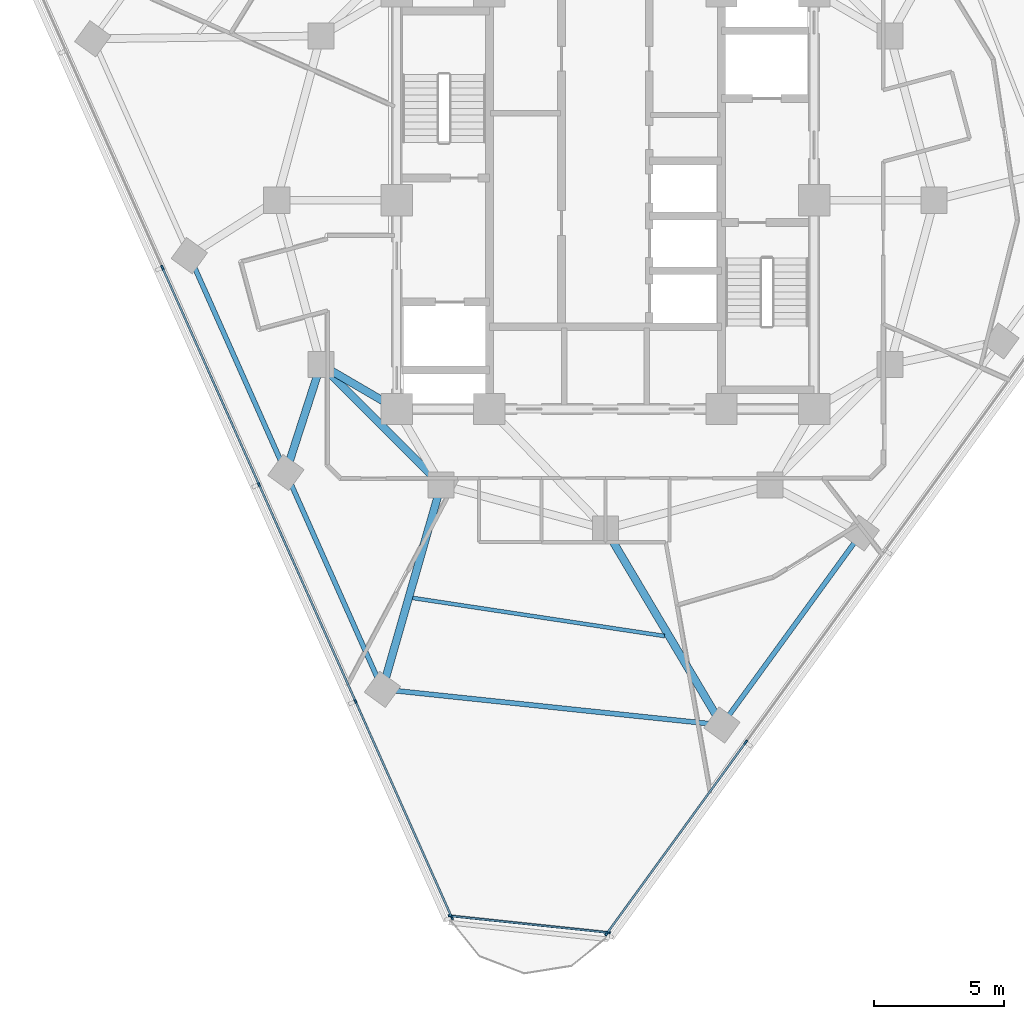
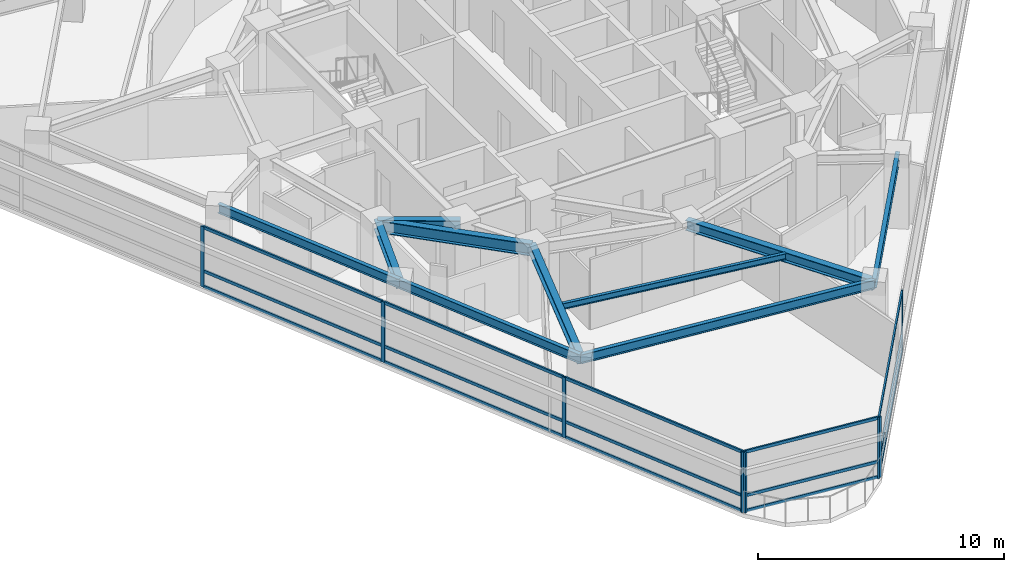
# One storey, part 2 of 15: 23 members, 10 beams, 3 elements without a shape of their own.
"""IFC4 building model written with IfcOpenShell, lengths in metres."""

import ifcopenshell
import ifcopenshell.guid

model = None  # the IFC model being written
_history = None  # IfcOwnerHistory: only IFC2X3 demands one
_inside = {}  # id of a spatial element -> (the spatial element, [elements in it])
_under = {}  # id of a project, library or spatial element -> (it, [spatial elements below it])
_declared = {}  # id of a project -> (the project, [libraries it declares])
_typed = {}  # id of a type object -> (the type object, [elements of that type])
_made_of = {}  # id of a material, layer set ... -> (it, [elements and type objects made of it])


def new_model(schema):
    """Start an empty IFC model of exactly this schema.

    Asked for "IFC4X3", IfcOpenShell would pick the latest addendum, in which some entities
    have other attributes; the version numbers below select the first issue.
    IFC2X3 requires an IfcOwnerHistory on every rooted entity: one is made here for all.
    """
    global model, _history
    if schema == "IFC4X3":
        model = ifcopenshell.file(schema_version=(4, 3, 0, 0))
    else:
        model = ifcopenshell.file(schema=schema)
    _inside.clear()
    _under.clear()
    _declared.clear()
    _typed.clear()
    _made_of.clear()
    _history = None
    if model.schema == "IFC2X3":
        org = make("IfcOrganization", Name="unknown")
        user = make(
            "IfcPersonAndOrganization",
            ThePerson=make("IfcPerson", FamilyName="unknown"),
            TheOrganization=org,
        )
        app = make(
            "IfcApplication",
            ApplicationDeveloper=org,
            Version="unknown",
            ApplicationFullName="unknown",
            ApplicationIdentifier="unknown",
        )
        _history = make(
            "IfcOwnerHistory",
            OwningUser=user,
            OwningApplication=app,
            ChangeAction="ADDED",
            CreationDate=0,
        )
    return model


def make(cls, **values):
    """One entity of the class cls with the attributes given. An attribute that is None is left unset."""
    return model.create_entity(
        cls, **{name: value for name, value in values.items() if value is not None}
    )


def rooted(cls, **values):
    """An entity with a GlobalId (a new one), such as an element, a storey or a relation."""
    return make(cls, GlobalId=ifcopenshell.guid.new(), OwnerHistory=_history, **values)


def si_unit(unit_type, name, prefix=None):
    """IfcSIUnit, for example si_unit("LENGTHUNIT", "METRE", prefix="MILLI")."""
    return make("IfcSIUnit", UnitType=unit_type, Prefix=prefix, Name=name)


def assignment(units):
    """IfcUnitAssignment: the units of a project."""
    return None if units is None else make("IfcUnitAssignment", Units=units)


def point(xyz):
    """IfcCartesianPoint."""
    return None if xyz is None else make("IfcCartesianPoint", Coordinates=xyz)


def direction(xyz):
    """IfcDirection."""
    return None if xyz is None else make("IfcDirection", DirectionRatios=xyz)


def frame(location, z_axis=None, x_axis=None):
    """IfcAxis2Placement3D, a coordinate frame: its origin and axes. An axis left out is left unset."""
    return make(
        "IfcAxis2Placement3D",
        Location=point(location),
        Axis=direction(z_axis),
        RefDirection=direction(x_axis),
    )


def frame_2d(location, x_axis=None):
    """IfcAxis2Placement2D, a coordinate frame in the plane: its origin and x axis."""
    return make(
        "IfcAxis2Placement2D", Location=point(location), RefDirection=direction(x_axis)
    )


def origin():
    """The frame at (0, 0, 0) with its axes left unset."""
    return frame((0.0, 0.0, 0.0))


def origin_2d():
    """The frame at (0, 0) in the plane with its x axis left unset."""
    return frame_2d((0.0, 0.0))


def place(relative_to, where):
    """IfcLocalPlacement: puts the frame where relative to a parent placement (None: the world)."""
    return make(
        "IfcLocalPlacement", PlacementRelTo=relative_to, RelativePlacement=where
    )


def context(
    kind, dimensions, precision=None, world=None, true_north=None, identifier=None
):
    """IfcGeometricRepresentationContext, for example the 3D "Model" context."""
    return make(
        "IfcGeometricRepresentationContext",
        ContextIdentifier=identifier,
        ContextType=kind,
        CoordinateSpaceDimension=dimensions,
        Precision=precision,
        WorldCoordinateSystem=world,
        TrueNorth=true_north,
    )


def subcontext(parent, identifier, kind, view, scale=None):
    """IfcGeometricRepresentationSubContext, for example "Body" below "Model"."""
    return make(
        "IfcGeometricRepresentationSubContext",
        ContextIdentifier=identifier,
        ContextType=kind,
        ParentContext=parent,
        TargetScale=scale,
        TargetView=view,
    )


def project(units=None, contexts=None):
    """IfcProject with its units and contexts."""
    return rooted(
        "IfcProject",
        Name="project",
        RepresentationContexts=contexts,
        UnitsInContext=assignment(units),
    )


def spatial(cls, under=None, at=None, **own):
    """A site, building, storey or space (cls), placed at a placement, below another one or the project."""
    s = rooted(cls, ObjectPlacement=at, **own)
    if under is not None:
        _under.setdefault(under.id(), (under, []))[1].append(s)
    return s


def profile(cls, at=None, kind="AREA", **sizes):
    """A parametric profile (cls). Its sizes go by their IFC names, for example OverallWidth=200.0."""
    return make(cls, ProfileType=kind, Position=at, **sizes)


def rectangle(**sizes):
    """IfcRectangleProfileDef."""
    return profile("IfcRectangleProfileDef", **sizes)


def i_section(**sizes):
    """IfcIShapeProfileDef."""
    return profile("IfcIShapeProfileDef", **sizes)


def extrude(swept, where, along, depth):
    """IfcExtrudedAreaSolid: the profile swept, set in the frame where, extruded along a direction by depth."""
    return make(
        "IfcExtrudedAreaSolid",
        SweptArea=swept,
        Position=where,
        ExtrudedDirection=direction(along),
        Depth=depth,
    )


def shape(context_of_items, identifier, shape_type, items):
    """IfcShapeRepresentation: the items that make up one representation, for example the "Body"."""
    return make(
        "IfcShapeRepresentation",
        ContextOfItems=context_of_items,
        RepresentationIdentifier=identifier,
        RepresentationType=shape_type,
        Items=items,
    )


def material(Name=None, Category=None):
    """IfcMaterial."""
    return make("IfcMaterial", Name=Name, Category=Category)


def layer(
    of_material, thickness, ventilated=None, Name=None, Category=None, Priority=None
):
    """IfcMaterialLayer: one layer of a wall or slab, of a material (None: an air gap)."""
    return make(
        "IfcMaterialLayer",
        Material=of_material,
        LayerThickness=thickness,
        IsVentilated=ventilated,
        Name=Name,
        Category=Category,
        Priority=Priority,
    )


def layer_set(layers, Name=None):
    """IfcMaterialLayerSet."""
    return make("IfcMaterialLayerSet", MaterialLayers=layers, LayerSetName=Name)


def material_profile(
    of_material, cross_section, Name=None, Category=None, Priority=None
):
    """IfcMaterialProfile: a cross section and its material."""
    return make(
        "IfcMaterialProfile",
        Name=Name,
        Material=of_material,
        Profile=cross_section,
        Priority=Priority,
        Category=Category,
    )


def profile_set(profiles, Name=None, composite=None):
    """IfcMaterialProfileSet."""
    return make(
        "IfcMaterialProfileSet",
        Name=Name,
        MaterialProfiles=profiles,
        CompositeProfile=composite,
    )


def made_of(thing, what):
    """Note that an element or type object is made of a material, layer set ...; save() writes the relation."""
    if what is not None:
        _made_of.setdefault(what.id(), (what, []))[1].append(thing)
    return thing


def type_object(cls, material=None, **own):
    """A type object (cls), such as IfcWallType, which elements share."""
    return made_of(rooted(cls, **own), material)


def element(
    cls,
    number,
    at=None,
    inside=None,
    cuts=None,
    type_object=None,
    material=None,
    context=None,
    identifier="Body",
    shape_type=None,
    held_by="IfcProductDefinitionShape",
    body=None,
    shapes=None,
    **own,
):
    """One element of the class cls, such as IfcWall. Its Tag is "e" and its number.

    at: its placement. inside: the storey or other place that contains it. cuts: it is an
    opening in that element (IfcRelVoidsElement). A single representation is given by context,
    identifier, shape_type and body (its items); several are given by shapes. held_by: the class
    of the entity that holds the representations. save() writes the other relations.
    """
    e = rooted(cls, Tag="e%d" % number, ObjectPlacement=at, **own)
    if body is not None:
        shapes = [shape(context, identifier, shape_type, body)]
    if shapes is not None:
        e.Representation = make(held_by, Representations=shapes)
    if inside is not None:
        _inside.setdefault(inside.id(), (inside, []))[1].append(e)
    if cuts is not None:
        rooted(
            "IfcRelVoidsElement", RelatingBuildingElement=cuts, RelatedOpeningElement=e
        )
    if type_object is not None:
        _typed.setdefault(type_object.id(), (type_object, []))[1].append(e)
    return made_of(e, material)


def aggregate(whole, parts):
    """IfcRelAggregates: a whole, such as a stair, and the parts it consists of."""
    return rooted("IfcRelAggregates", RelatingObject=whole, RelatedObjects=parts)


def save(model, path):
    """Write the relations noted so far, then the file.

    IfcRelAggregates (storeys below a building ...), IfcRelContainedInSpatialStructure (elements
    in a storey), IfcRelDefinesByType, IfcRelAssociatesMaterial and IfcRelDeclares: one each for
    every whole, place, type object, material and project.
    """
    for whole, parts in _under.values():
        aggregate(whole, parts)
    for where, things in _inside.values():
        rooted(
            "IfcRelContainedInSpatialStructure",
            RelatedElements=things,
            RelatingStructure=where,
        )
    for kind, things in _typed.values():
        rooted("IfcRelDefinesByType", RelatedObjects=things, RelatingType=kind)
    for what, things in _made_of.values():
        rooted("IfcRelAssociatesMaterial", RelatedObjects=things, RelatingMaterial=what)
    for by, libraries in _declared.values():
        rooted("IfcRelDeclares", RelatingContext=by, RelatedDefinitions=libraries)
    model.write(path)


model = new_model("IFC4")

# Units and contexts
model_context = context("Model", 3, precision=1e-05, world=origin(), true_north=direction((0.0, 1.0)))
body_context = subcontext(model_context, "Body", "Model", "MODEL_VIEW")
ifc_project = project(units=[si_unit("LENGTHUNIT", "METRE"), si_unit("AREAUNIT", "SQUARE_METRE"), si_unit("VOLUMEUNIT", "CUBIC_METRE"), si_unit("PLANEANGLEUNIT", "RADIAN"), si_unit("MASSUNIT", "GRAM", prefix="KILO")], contexts=[model_context])

# Site, building, storey
site_placement = place(None, origin())
site = spatial("IfcSite", under=ifc_project, at=site_placement, CompositionType="ELEMENT")
building_placement = place(site_placement, origin())
building = spatial("IfcBuilding", under=site, at=building_placement, Name="Terralouvre Media Tower", CompositionType="ELEMENT")
storey_placement = place(building_placement, frame((0.0, 0.0, 233.699951171875)))
storey = spatial("IfcBuildingStorey", under=building, at=storey_placement, Name="L60", CompositionType="ELEMENT", Elevation=233.699951171875)

# Beam
ifc_material_1 = material(Name="Structural steel S355J2", Category="steel")
ifc_material_profile_1 = material_profile(ifc_material_1, i_section(OverallWidth=0.14990234375, OverallDepth=0.300048828125, WebThickness=0.007080078125, FlangeThickness=0.0107421875, at=origin_2d()), Name="IPE 300")
ifc_profile_set_1 = profile_set([ifc_material_profile_1], Name="Structural steel S355J2")
beam_type_1 = type_object("IfcBeamType", Name="Composite Floor Joist J-IPE300 (IPE 300)", PredefinedType="JOIST", material=ifc_profile_set_1)
beam_1_placement = place(storey_placement, frame((-7.38818359375, -15.244140625, 3.35009765625), z_axis=(0.988745338641, -0.149608339726, 0.0), x_axis=(0.149608339726, 0.988745338641, 0.0)))
element("IfcBeam", 1, at=beam_1_placement, inside=storey, type_object=beam_type_1, Name="L60 Framing Beam JT-L60-01", PredefinedType="JOIST", context=body_context, shape_type="SweptSolid", body=[
    extrude(i_section(OverallWidth=0.14990234375, OverallDepth=0.300048828125, WebThickness=0.007080078125, FlangeThickness=0.0107421875, at=origin_2d()), origin(), (0.0, 0.0, 1.0), 9.763427734375),
])

# Curtain wall, members
ifc_material_2 = material(Name="Low-iron laminated double glazing with solar-control coating", Category="glass")
ifc_layer_1 = layer(ifc_material_2, 0.1650390625, Name="Upper Executive Tower Curtain Wall CW-05")
ifc_layer_set_1 = layer_set([ifc_layer_1], Name="Low-iron laminated double glazing with solar-control coating")
curtain_wall_type_1 = type_object("IfcCurtainWallType", Name="Upper Executive Tower Curtain Wall CW-05", PredefinedType="NOTDEFINED", material=ifc_layer_set_1)
curtain_wall_1_placement = place(storey_placement, origin())
curtain_wall_1 = element("IfcCurtainWall", 2, at=curtain_wall_1_placement, inside=storey, type_object=curtain_wall_type_1, Name="L60 Facade Curtain Wall F0", PredefinedType="NOTDEFINED")
ifc_material_3 = material(Name="Anodised extruded aluminium 6063-T6", Category="aluminium")
ifc_material_profile_2 = material_profile(ifc_material_3, rectangle(XDim=0.074951171875, YDim=0.14990234375, at=origin_2d()), Name="ALU 75x150")
ifc_profile_set_2 = profile_set([ifc_material_profile_2], Name="Anodised extruded aluminium 6063-T6")
member_type_1 = type_object("IfcMemberType", Name="Curtain-Wall Horizontal Transom TR-150", PredefinedType="USERDEFINED", material=ifc_profile_set_2)
member_1_placement = place(storey_placement, frame((0.072998046875, -28.0810546875, 0.03759765625), z_axis=(0.587774298355, 0.809024952763, 0.0), x_axis=(-0.809024952763, 0.587774298355, 0.0)))
member_1 = element("IfcMember", 3, at=member_1_placement, type_object=member_type_1, Name="CW-05 transom 1.1", ObjectType="TRANSOM", PredefinedType="USERDEFINED", context=body_context, shape_type="SweptSolid", body=[
    extrude(rectangle(XDim=0.074951171875, YDim=0.14990234375, at=origin_2d()), origin(), (0.0, 0.0, 1.0), 8.987548828125),
])
member_2_placement = place(storey_placement, frame((0.072998046875, -28.0810546875, 0.800048828125), z_axis=(0.587774298355, 0.809024952763, 0.0), x_axis=(-0.809024952763, 0.587774298355, 0.0)))
member_2 = element("IfcMember", 4, at=member_2_placement, type_object=member_type_1, Name="CW-05 transom 1.2", ObjectType="TRANSOM", PredefinedType="USERDEFINED", context=body_context, shape_type="SweptSolid", body=[
    extrude(rectangle(XDim=0.074951171875, YDim=0.14990234375, at=origin_2d()), origin(), (0.0, 0.0, 1.0), 8.987548828125),
])
member_3_placement = place(storey_placement, frame((0.072998046875, -28.0810546875, 2.962646484375), z_axis=(0.587774298355, 0.809024952763, 0.0), x_axis=(-0.809024952763, 0.587774298355, 0.0)))
member_3 = element("IfcMember", 5, at=member_3_placement, type_object=member_type_1, Name="CW-05 transom 1.3", ObjectType="TRANSOM", PredefinedType="USERDEFINED", context=body_context, shape_type="SweptSolid", body=[
    extrude(rectangle(XDim=0.074951171875, YDim=0.14990234375, at=origin_2d()), origin(), (0.0, 0.0, 1.0), 8.987548828125),
])

curtain_wall_2_placement = place(storey_placement, origin())
curtain_wall_2 = element("IfcCurtainWall", 6, at=curtain_wall_2_placement, inside=storey, type_object=curtain_wall_type_1, Name="L60 Facade Curtain Wall F2", PredefinedType="NOTDEFINED")
member_4_placement = place(storey_placement, frame((-16.968017578125, -2.614990234375, 0.03759765625), z_axis=(0.406740753437, -0.913543627581, 0.0), x_axis=(0.913543627581, 0.406740753437, 0.0)))
member_4 = element("IfcMember", 7, at=member_4_placement, type_object=member_type_1, Name="CW-05 transom 3.1", ObjectType="TRANSOM", PredefinedType="USERDEFINED", context=body_context, shape_type="SweptSolid", body=[
    extrude(rectangle(XDim=0.074951171875, YDim=0.14990234375, at=origin_2d()), origin(), (0.0, 0.0, 1.0), 9.025146484375),
])
member_5_placement = place(storey_placement, frame((-16.968017578125, -2.614990234375, 0.800048828125), z_axis=(0.406740753437, -0.913543627581, 0.0), x_axis=(0.913543627581, 0.406740753437, 0.0)))
member_5 = element("IfcMember", 8, at=member_5_placement, type_object=member_type_1, Name="CW-05 transom 3.2", ObjectType="TRANSOM", PredefinedType="USERDEFINED", context=body_context, shape_type="SweptSolid", body=[
    extrude(rectangle(XDim=0.074951171875, YDim=0.14990234375, at=origin_2d()), origin(), (0.0, 0.0, 1.0), 9.025146484375),
])
member_6_placement = place(storey_placement, frame((-16.968017578125, -2.614990234375, 2.962646484375), z_axis=(0.406740753437, -0.913543627581, 0.0), x_axis=(0.913543627581, 0.406740753437, 0.0)))
member_6 = element("IfcMember", 9, at=member_6_placement, type_object=member_type_1, Name="CW-05 transom 3.3", ObjectType="TRANSOM", PredefinedType="USERDEFINED", context=body_context, shape_type="SweptSolid", body=[
    extrude(rectangle(XDim=0.074951171875, YDim=0.14990234375, at=origin_2d()), origin(), (0.0, 0.0, 1.0), 9.025146484375),
])
member_7_placement = place(storey_placement, frame((-13.2666015625, -10.928466796875, 0.03759765625), z_axis=(0.406728228643, -0.913549203943, 0.0), x_axis=(0.913549203943, 0.406728228643, 0.0)))
member_7 = element("IfcMember", 10, at=member_7_placement, type_object=member_type_1, Name="CW-05 transom 4.1", ObjectType="TRANSOM", PredefinedType="USERDEFINED", context=body_context, shape_type="SweptSolid", body=[
    extrude(rectangle(XDim=0.074951171875, YDim=0.14990234375, at=origin_2d()), origin(), (0.0, 0.0, 1.0), 9.02490234375),
])
member_8_placement = place(storey_placement, frame((-13.2666015625, -10.928466796875, 0.800048828125), z_axis=(0.406728228643, -0.913549203943, 0.0), x_axis=(0.913549203943, 0.406728228643, 0.0)))
member_8 = element("IfcMember", 11, at=member_8_placement, type_object=member_type_1, Name="CW-05 transom 4.2", ObjectType="TRANSOM", PredefinedType="USERDEFINED", context=body_context, shape_type="SweptSolid", body=[
    extrude(rectangle(XDim=0.074951171875, YDim=0.14990234375, at=origin_2d()), origin(), (0.0, 0.0, 1.0), 9.02490234375),
])
member_9_placement = place(storey_placement, frame((-13.2666015625, -10.928466796875, 2.962646484375), z_axis=(0.406728228643, -0.913549203943, 0.0), x_axis=(0.913549203943, 0.406728228643, 0.0)))
member_9 = element("IfcMember", 12, at=member_9_placement, type_object=member_type_1, Name="CW-05 transom 4.3", ObjectType="TRANSOM", PredefinedType="USERDEFINED", context=body_context, shape_type="SweptSolid", body=[
    extrude(rectangle(XDim=0.074951171875, YDim=0.14990234375, at=origin_2d()), origin(), (0.0, 0.0, 1.0), 9.02490234375),
])
member_10_placement = place(storey_placement, frame((-9.5654296875, -19.24169921875, 0.03759765625), z_axis=(0.406735720677, -0.913545868321, 0.0), x_axis=(0.913545868321, 0.406735720677, 0.0)))
member_10 = element("IfcMember", 13, at=member_10_placement, type_object=member_type_1, Name="CW-05 transom 5.1", ObjectType="TRANSOM", PredefinedType="USERDEFINED", context=body_context, shape_type="SweptSolid", body=[
    extrude(rectangle(XDim=0.074951171875, YDim=0.14990234375, at=origin_2d()), origin(), (0.0, 0.0, 1.0), 8.987548828125),
])
member_11_placement = place(storey_placement, frame((-9.5654296875, -19.24169921875, 0.800048828125), z_axis=(0.406735720677, -0.913545868321, 0.0), x_axis=(0.913545868321, 0.406735720677, 0.0)))
member_11 = element("IfcMember", 14, at=member_11_placement, type_object=member_type_1, Name="CW-05 transom 5.2", ObjectType="TRANSOM", PredefinedType="USERDEFINED", context=body_context, shape_type="SweptSolid", body=[
    extrude(rectangle(XDim=0.074951171875, YDim=0.14990234375, at=origin_2d()), origin(), (0.0, 0.0, 1.0), 8.987548828125),
])
member_12_placement = place(storey_placement, frame((-9.5654296875, -19.24169921875, 2.962646484375), z_axis=(0.406735720677, -0.913545868321, 0.0), x_axis=(0.913545868321, 0.406735720677, 0.0)))
member_12 = element("IfcMember", 15, at=member_12_placement, type_object=member_type_1, Name="CW-05 transom 5.3", ObjectType="TRANSOM", PredefinedType="USERDEFINED", context=body_context, shape_type="SweptSolid", body=[
    extrude(rectangle(XDim=0.074951171875, YDim=0.14990234375, at=origin_2d()), origin(), (0.0, 0.0, 1.0), 8.987548828125),
])

ifc_material_4 = material(Name="Low-iron laminated double glazing with solar-control coating", Category="glass")
ifc_layer_2 = layer(ifc_material_4, 0.1650390625, Name="Rounded Wind-Corner Curved Glazing CW-04")
ifc_layer_set_2 = layer_set([ifc_layer_2], Name="Low-iron laminated double glazing with solar-control coating")
curtain_wall_type_2 = type_object("IfcCurtainWallType", Name="Rounded Wind-Corner Curved Glazing CW-04", PredefinedType="NOTDEFINED", material=ifc_layer_set_2)
curtain_wall_3_placement = place(storey_placement, origin())
curtain_wall_3 = element("IfcCurtainWall", 16, at=curtain_wall_3_placement, inside=storey, type_object=curtain_wall_type_2, Name="L60 Rounded Wind-Corner Curtain Wall C0", PredefinedType="NOTDEFINED")
member_13_placement = place(storey_placement, frame((-5.899658203125, -27.43798828125, 0.03759765625), z_axis=(0.994519048003, -0.104555550594, 0.0), x_axis=(0.104555550594, 0.994519048003, 0.0)))
member_13 = element("IfcMember", 17, at=member_13_placement, type_object=member_type_1, Name="CW-04 transom 1.1", ObjectType="TRANSOM", PredefinedType="USERDEFINED", context=body_context, shape_type="SweptSolid", body=[
    extrude(rectangle(XDim=0.074951171875, YDim=0.14990234375, at=origin_2d()), origin(), (0.0, 0.0, 1.0), 5.998779296875),
])
member_14_placement = place(storey_placement, frame((-5.899658203125, -27.43798828125, 0.800048828125), z_axis=(0.994519048003, -0.104555550594, 0.0), x_axis=(0.104555550594, 0.994519048003, 0.0)))
member_14 = element("IfcMember", 18, at=member_14_placement, type_object=member_type_1, Name="CW-04 transom 1.2", ObjectType="TRANSOM", PredefinedType="USERDEFINED", context=body_context, shape_type="SweptSolid", body=[
    extrude(rectangle(XDim=0.074951171875, YDim=0.14990234375, at=origin_2d()), origin(), (0.0, 0.0, 1.0), 5.998779296875),
])
member_15_placement = place(storey_placement, frame((-5.899658203125, -27.43798828125, 2.962646484375), z_axis=(0.994519048003, -0.104555550594, 0.0), x_axis=(0.104555550594, 0.994519048003, 0.0)))
member_15 = element("IfcMember", 19, at=member_15_placement, type_object=member_type_1, Name="CW-04 transom 1.3", ObjectType="TRANSOM", PredefinedType="USERDEFINED", context=body_context, shape_type="SweptSolid", body=[
    extrude(rectangle(XDim=0.074951171875, YDim=0.14990234375, at=origin_2d()), origin(), (0.0, 0.0, 1.0), 5.998779296875),
])

# Member
ifc_material_5 = material(Name="Anodised extruded aluminium 6063-T6", Category="aluminium")
ifc_material_profile_3 = material_profile(ifc_material_5, rectangle(XDim=0.074951171875, YDim=0.179931640625, at=origin_2d()), Name="ALU 75x180")
ifc_profile_set_3 = profile_set([ifc_material_profile_3], Name="Anodised extruded aluminium 6063-T6")
member_type_2 = type_object("IfcMemberType", Name="Curtain-Wall Vertical Mullion ML-180", PredefinedType="MULLION", material=ifc_profile_set_3)
member_16_placement = place(storey_placement, frame((0.051025390625, -28.111328125, 0.0), z_axis=(0.0, 0.0, 1.0), x_axis=(-0.809016959074, 0.587785300879, 0.0)))
member_16 = element("IfcMember", 20, at=member_16_placement, type_object=member_type_2, Name="CW-05 mullion 1", PredefinedType="MULLION", context=body_context, shape_type="SweptSolid", body=[
    extrude(rectangle(XDim=0.074951171875, YDim=0.179931640625, at=origin_2d()), origin(), (0.0, 0.0, 1.0), 3.0),
])

member_17_placement = place(storey_placement, frame((5.3779296875, -20.779541015625, 0.0), z_axis=(0.0, 0.0, 1.0), x_axis=(-0.809016959074, 0.587785300879, 0.0)))
member_17 = element("IfcMember", 21, at=member_17_placement, type_object=member_type_2, Name="CW-05 mullion 2", PredefinedType="MULLION", context=body_context, shape_type="SweptSolid", body=[
    extrude(rectangle(XDim=0.074951171875, YDim=0.179931640625, at=origin_2d()), origin(), (0.0, 0.0, 1.0), 3.0),
])

aggregate(curtain_wall_1, [member_16, member_17, member_1, member_2, member_3])

member_18_placement = place(storey_placement, frame((-16.983154296875, -2.580810546875, 0.0), z_axis=(0.0, 0.0, 1.0), x_axis=(0.913545441365, 0.406736679636, 0.0)))
member_18 = element("IfcMember", 22, at=member_18_placement, type_object=member_type_2, Name="CW-05 mullion 3", PredefinedType="MULLION", context=body_context, shape_type="SweptSolid", body=[
    extrude(rectangle(XDim=0.074951171875, YDim=0.179931640625, at=origin_2d()), origin(), (0.0, 0.0, 1.0), 3.0),
])

member_19_placement = place(storey_placement, frame((-13.281982421875, -10.89404296875, 0.0), z_axis=(0.0, 0.0, 1.0), x_axis=(0.913545441365, 0.406736679636, 0.0)))
member_19 = element("IfcMember", 23, at=member_19_placement, type_object=member_type_2, Name="CW-05 mullion 4", PredefinedType="MULLION", context=body_context, shape_type="SweptSolid", body=[
    extrude(rectangle(XDim=0.074951171875, YDim=0.179931640625, at=origin_2d()), origin(), (0.0, 0.0, 1.0), 3.0),
])

member_20_placement = place(storey_placement, frame((-9.58056640625, -19.207275390625, 0.0), z_axis=(0.0, 0.0, 1.0), x_axis=(0.913545441365, 0.406736679636, 0.0)))
member_20 = element("IfcMember", 24, at=member_20_placement, type_object=member_type_2, Name="CW-05 mullion 5", PredefinedType="MULLION", context=body_context, shape_type="SweptSolid", body=[
    extrude(rectangle(XDim=0.074951171875, YDim=0.179931640625, at=origin_2d()), origin(), (0.0, 0.0, 1.0), 3.0),
])

member_21_placement = place(storey_placement, frame((-5.89453125, -27.486328125, 0.0), z_axis=(0.0, 0.0, 1.0), x_axis=(0.913545441365, 0.406736679636, 0.0)))
member_21 = element("IfcMember", 25, at=member_21_placement, type_object=member_type_2, Name="CW-05 mullion 6", PredefinedType="MULLION", context=body_context, shape_type="SweptSolid", body=[
    extrude(rectangle(XDim=0.074951171875, YDim=0.179931640625, at=origin_2d()), origin(), (0.0, 0.0, 1.0), 3.0),
])

aggregate(curtain_wall_2, [member_18, member_19, member_20, member_21, member_4, member_5, member_6, member_7, member_8, member_9, member_10, member_11, member_12])

member_22_placement = place(storey_placement, frame((-5.93701171875, -27.43408203125, 0.0), z_axis=(0.0, 0.0, 1.0), x_axis=(0.104527995322, 0.994521944551, 0.0)))
member_22 = element("IfcMember", 26, at=member_22_placement, type_object=member_type_2, Name="CW-04 mullion 1", PredefinedType="MULLION", context=body_context, shape_type="SweptSolid", body=[
    extrude(rectangle(XDim=0.074951171875, YDim=0.179931640625, at=origin_2d()), origin(), (0.0, 0.0, 1.0), 3.0),
])

member_23_placement = place(storey_placement, frame((0.103515625, -28.069091796875, 0.0), z_axis=(0.0, 0.0, 1.0), x_axis=(0.104527995322, 0.994521944551, 0.0)))
member_23 = element("IfcMember", 27, at=member_23_placement, type_object=member_type_2, Name="CW-04 mullion 2", PredefinedType="MULLION", context=body_context, shape_type="SweptSolid", body=[
    extrude(rectangle(XDim=0.074951171875, YDim=0.179931640625, at=origin_2d()), origin(), (0.0, 0.0, 1.0), 3.0),
])

aggregate(curtain_wall_3, [member_22, member_23, member_13, member_14, member_15])

# Beams
ifc_material_6 = material(Name="Structural steel S355J2", Category="steel")
ifc_material_profile_4 = material_profile(ifc_material_6, i_section(OverallWidth=0.18994140625, OverallDepth=0.449951171875, WebThickness=0.009521484375, FlangeThickness=0.0146484375, at=origin_2d()), Name="IPE 450")
ifc_profile_set_4 = profile_set([ifc_material_profile_4], Name="Structural steel S355J2")
beam_type_2 = type_object("IfcBeamType", Name="Perimeter Spandrel Beam SPB-450 (IPE 450)", PredefinedType="SPANDREL", material=ifc_profile_set_4)
beam_2_placement = place(storey_placement, frame((-15.950927734375, -2.121337890625, 3.275146484375), z_axis=(0.406725851667, -0.913550262211, 0.0), x_axis=(0.913550262211, 0.406725851667, 0.0)))
element("IfcBeam", 28, at=beam_2_placement, inside=storey, type_object=beam_type_2, Name="L60 Framing Beam BM-L60-PR01", PredefinedType="SPANDREL", context=body_context, shape_type="SweptSolid", body=[
    extrude(i_section(OverallWidth=0.18994140625, OverallDepth=0.449951171875, WebThickness=0.009521484375, FlangeThickness=0.0146484375, at=origin_2d()), origin(), (0.0, 0.0, 1.0), 9.099853515625),
])
beam_3_placement = place(storey_placement, frame((-12.249755859375, -10.4345703125, 3.275146484375), z_axis=(0.40674824199, -0.913540293385, 0.0), x_axis=(0.913540293385, 0.40674824199, 0.0)))
element("IfcBeam", 29, at=beam_3_placement, inside=storey, type_object=beam_type_2, Name="L60 Framing Beam BM-L60-PR02", PredefinedType="SPANDREL", context=body_context, shape_type="SweptSolid", body=[
    extrude(i_section(OverallWidth=0.18994140625, OverallDepth=0.449951171875, WebThickness=0.009521484375, FlangeThickness=0.0146484375, at=origin_2d()), origin(), (0.0, 0.0, 1.0), 9.10009765625),
])
beam_4_placement = place(storey_placement, frame((-8.54833984375, -18.747802734375, 3.275146484375), z_axis=(0.994521391833, -0.104533253974, 0.0), x_axis=(0.104533253974, 0.994521391833, 0.0)))
element("IfcBeam", 30, at=beam_4_placement, inside=storey, type_object=beam_type_2, Name="L60 Framing Beam BM-L60-PR03", PredefinedType="SPANDREL", context=body_context, shape_type="SweptSolid", body=[
    extrude(i_section(OverallWidth=0.18994140625, OverallDepth=0.449951171875, WebThickness=0.009521484375, FlangeThickness=0.0146484375, at=origin_2d()), origin(), (0.0, 0.0, 1.0), 13.083740234375),
])
beam_5_placement = place(storey_placement, frame((4.463623046875, -20.115478515625, 3.275146484375), z_axis=(0.587787185033, 0.809015590153, 0.0), x_axis=(-0.809015590153, 0.587787185033, 0.0)))
element("IfcBeam", 31, at=beam_5_placement, inside=storey, type_object=beam_type_2, Name="L60 Framing Beam BM-L60-PR04", PredefinedType="SPANDREL", context=body_context, shape_type="SweptSolid", body=[
    extrude(i_section(OverallWidth=0.18994140625, OverallDepth=0.449951171875, WebThickness=0.009521484375, FlangeThickness=0.0146484375, at=origin_2d()), origin(), (0.0, 0.0, 1.0), 9.10009765625),
])
ifc_material_7 = material(Name="Structural steel S355J2", Category="steel")
ifc_material_profile_5 = material_profile(ifc_material_7, i_section(OverallWidth=0.300048828125, OverallDepth=0.5, WebThickness=0.014404296875, FlangeThickness=0.028076171875, at=origin_2d()), Name="HEB 500")
ifc_profile_set_5 = profile_set([ifc_material_profile_5], Name="Structural steel S355J2")
beam_type_3 = type_object("IfcBeamType", Name="Primary Floor Girder B-HEB500 (HEB 500)", PredefinedType="BEAM", material=ifc_profile_set_5)
beam_6_placement = place(storey_placement, frame((-10.911865234375, -6.300048828125, 3.25), z_axis=(-0.307872638555, -0.951427579183, 0.0), x_axis=(0.951427579183, -0.307872638555, 0.0)))
element("IfcBeam", 32, at=beam_6_placement, inside=storey, type_object=beam_type_3, Name="L60 Framing Beam BM-L60-RD02", PredefinedType="BEAM", context=body_context, shape_type="SweptSolid", body=[
    extrude(i_section(OverallWidth=0.300048828125, OverallDepth=0.5, WebThickness=0.014404296875, FlangeThickness=0.028076171875, at=origin_2d()), origin(), (0.0, 0.0, 1.0), 4.345703125),
])
beam_7_placement = place(storey_placement, frame((-6.300048828125, -10.911865234375, 3.25), z_axis=(-0.275792876342, -0.96121708753, 0.0), x_axis=(0.96121708753, -0.275792876342, 0.0)))
element("IfcBeam", 33, at=beam_7_placement, inside=storey, type_object=beam_type_3, Name="L60 Framing Beam BM-L60-RD03", PredefinedType="BEAM", context=body_context, shape_type="SweptSolid", body=[
    extrude(i_section(OverallWidth=0.300048828125, OverallDepth=0.5, WebThickness=0.014404296875, FlangeThickness=0.028076171875, at=origin_2d()), origin(), (0.0, 0.0, 1.0), 8.152099609375),
])
beam_8_placement = place(storey_placement, frame((0.0, -12.60009765625, 3.25), z_axis=(0.510654263047, -0.859786149942, 0.0), x_axis=(0.859786149942, 0.510654263047, 0.0)))
element("IfcBeam", 34, at=beam_8_placement, inside=storey, type_object=beam_type_3, Name="L60 Framing Beam BM-L60-RD04", PredefinedType="BEAM", context=body_context, shape_type="SweptSolid", body=[
    extrude(i_section(OverallWidth=0.300048828125, OverallDepth=0.5, WebThickness=0.014404296875, FlangeThickness=0.028076171875, at=origin_2d()), origin(), (0.0, 0.0, 1.0), 8.740966796875),
])
ifc_material_8 = material(Name="Structural steel S460M", Category="steel")
ifc_material_profile_6 = material_profile(ifc_material_8, i_section(OverallWidth=0.300048828125, OverallDepth=0.60009765625, WebThickness=0.015380859375, FlangeThickness=0.030029296875, at=origin_2d()), Name="HEB 600")
ifc_profile_set_6 = profile_set([ifc_material_profile_6], Name="Structural steel S460M")
beam_type_4 = type_object("IfcBeamType", Name="Primary Floor Girder B-HEB600 (HEB 600)", PredefinedType="BEAM", material=ifc_profile_set_6)
beam_9_placement = place(storey_placement, frame((-10.911865234375, -6.300048828125, 3.199951171875), z_axis=(0.707106781187, -0.707106781187, 0.0), x_axis=(0.707106781187, 0.707106781187, 0.0)))
element("IfcBeam", 35, at=beam_9_placement, inside=storey, type_object=beam_type_4, Name="L60 Framing Beam BM-L60-MR01", PredefinedType="BEAM", context=body_context, shape_type="SweptSolid", body=[
    extrude(i_section(OverallWidth=0.300048828125, OverallDepth=0.60009765625, WebThickness=0.015380859375, FlangeThickness=0.030029296875, at=origin_2d()), origin(), (0.0, 0.0, 1.0), 6.52197265625),
])
beam_10_placement = place(storey_placement, frame((-8.0, -8.0, 3.199951171875), z_axis=(-0.863602894532, 0.504172629717, 0.0), x_axis=(-0.504172629717, -0.863602894532, 0.0)))
element("IfcBeam", 36, at=beam_10_placement, inside=storey, type_object=beam_type_4, Name="L60 Framing Beam BM-L60-CM01", PredefinedType="BEAM", context=body_context, shape_type="SweptSolid", body=[
    extrude(i_section(OverallWidth=0.300048828125, OverallDepth=0.60009765625, WebThickness=0.015380859375, FlangeThickness=0.030029296875, at=origin_2d()), origin(), (0.0, 0.0, 1.0), 3.371826171875),
])

save(model, "model.ifc")
